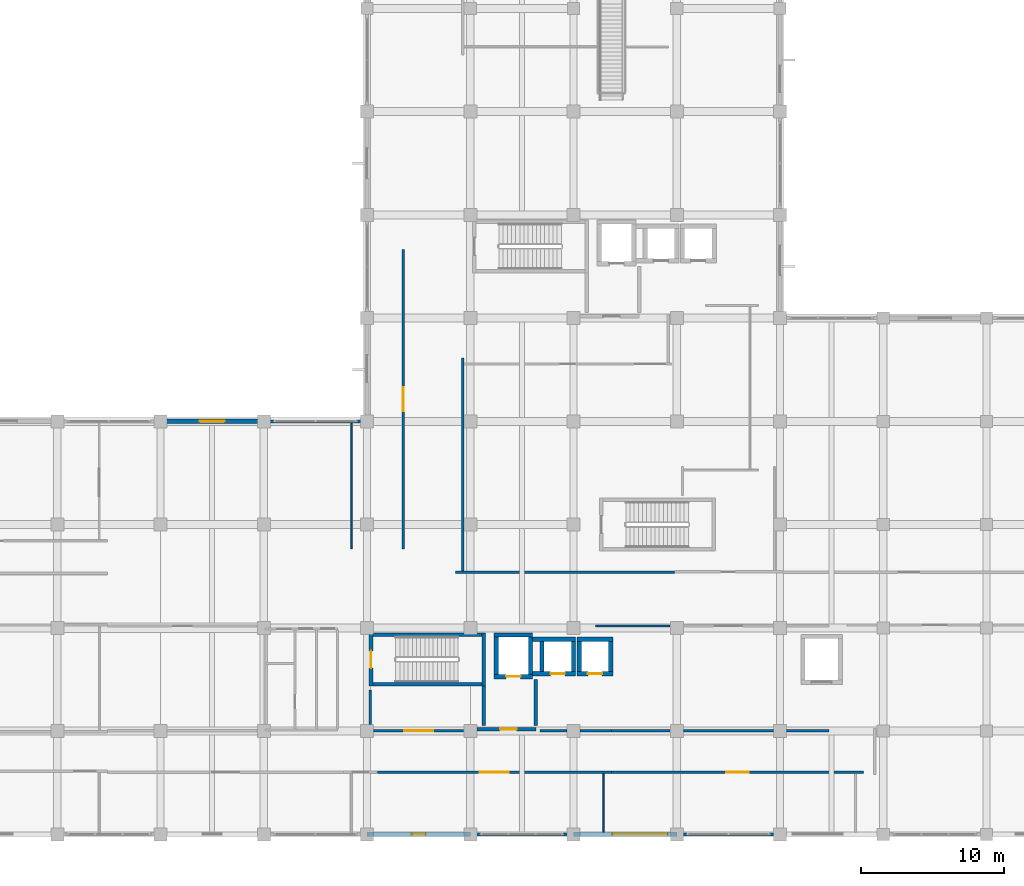
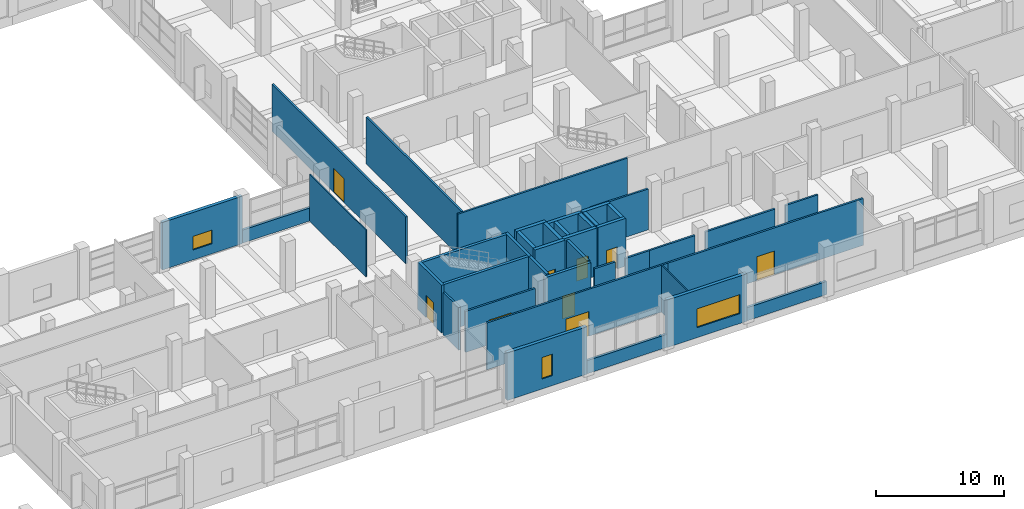
# One storey, part 158 of 181: 40 walls, 9 doors, 3 windows, 12 openings.
"""IFC4 building model written with IfcOpenShell, lengths in metres."""

from ifc_helpers import new_model, si_unit, direction, frame, frame_2d, origin, place, context, subcontext, project, spatial, rectangle, extrude, material, layer, layer_set, type_object, element, fill, save


model = new_model("IFC4")

# Units and contexts
model_context = context("Model", 3, precision=1e-05, world=origin(), true_north=direction((0.0, 1.0)))
body_context = subcontext(model_context, "Body", "Model", "MODEL_VIEW")
ifc_project = project(units=[si_unit("LENGTHUNIT", "METRE"), si_unit("AREAUNIT", "SQUARE_METRE"), si_unit("VOLUMEUNIT", "CUBIC_METRE"), si_unit("PLANEANGLEUNIT", "RADIAN"), si_unit("MASSUNIT", "GRAM", prefix="KILO")], contexts=[model_context])

# Site, building, storey
site_placement = place(None, origin())
site = spatial("IfcSite", under=ifc_project, at=site_placement, CompositionType="ELEMENT")
building_placement = place(site_placement, origin())
building = spatial("IfcBuilding", under=site, at=building_placement, Name="Seraya Terrace Polytechnic", CompositionType="ELEMENT")
storey_placement = place(building_placement, frame((0.0, 0.0, 4.800048828125)))
storey = spatial("IfcBuildingStorey", under=building, at=storey_placement, Name="L01", CompositionType="ELEMENT", Elevation=4.800048828125)

# Wall, opening, window
ifc_material_1 = material(Name="Concrete C40/50", Category="concrete")
ifc_layer_1 = layer(ifc_material_1, 0.300048828125, Name="EW-01")
ifc_layer_set_1 = layer_set([ifc_layer_1], Name="Concrete C40/50")
wall_type_1 = type_object("IfcWallType", Name="EW-01", PredefinedType="SOLIDWALL", material=ifc_layer_set_1)
wall_1_placement = place(storey_placement, frame((100.800048828125, 0.0, 0.0), z_axis=(0.0, 0.0, 1.0), x_axis=(-1.0, 0.0, 0.0)))
wall_1 = element("IfcWall", 1, at=wall_1_placement, inside=storey, type_object=wall_type_1, Name="Exterior structural wall EW-01 L01", PredefinedType="SOLIDWALL", context=body_context, shape_type="SweptSolid", body=[
    extrude(rectangle(XDim=7.199951171875, YDim=0.300048828125, at=frame_2d((3.60009765625, 0.0))), origin(), (0.0, 0.0, 1.0), 4.52001953125),
])
opening_1_placement = place(wall_1_placement, frame((0.64599609375, 0.0, 0.949951171875)))
opening_1 = element("IfcOpeningElement", 2, at=opening_1_placement, cuts=wall_1, Name="Opening WN-36", PredefinedType="OPENING", context=body_context, shape_type="SweptSolid", body=[
    extrude(rectangle(XDim=3.85009765625, YDim=1.800048828125, at=frame_2d((1.925048828125, 0.89990234375))), frame((0.0, 0.162109375, 0.0), z_axis=(0.0, -1.0, 0.0), x_axis=(1.0, 0.0, 0.0)), (0.0, 0.0, 1.0), 0.323974609375),
])
ifc_material_2 = material(Name="Laminated solar-control Low-E double glazing", Category="glass")
window_type_1 = type_object("IfcWindowType", Name="WN-36", PartitioningType="SINGLE_PANEL", PredefinedType="WINDOW", material=ifc_material_2)
window_1_placement = place(opening_1_placement, origin())
window_1 = element("IfcWindow", 3, at=window_1_placement, inside=storey, type_object=window_type_1, Name="Exterior window WN-36 L01", OverallHeight=1.800048828125, OverallWidth=3.85009765625, PartitioningType="SINGLE_PANEL", PredefinedType="WINDOW", context=body_context, shape_type="SweptSolid", body=[
    extrude(rectangle(XDim=3.85009765625, YDim=1.800048828125, at=frame_2d((1.925048828125, 0.89990234375))), frame((0.0, 0.030029296875, 0.0), z_axis=(0.0, -1.0, 0.0), x_axis=(1.0, 0.0, 0.0)), (0.0, 0.0, 1.0), 0.06005859375),
])
fill(opening_1, window_1)

wall_2_placement = place(storey_placement, frame((86.39990234375, 0.0, 0.0), z_axis=(0.0, 0.0, 1.0), x_axis=(-1.0, 0.0, 0.0)))
wall_2 = element("IfcWall", 4, at=wall_2_placement, inside=storey, type_object=wall_type_1, Name="Exterior structural wall EW-01 L01", PredefinedType="SOLIDWALL", context=body_context, shape_type="SweptSolid", body=[
    extrude(rectangle(XDim=7.199951171875, YDim=0.300048828125, at=frame_2d((3.60009765625, 0.0))), origin(), (0.0, 0.0, 1.0), 4.52001953125),
])
opening_2_placement = place(wall_2_placement, frame((3.125, 0.0, 0.949951171875)))
opening_2 = element("IfcOpeningElement", 5, at=opening_2_placement, cuts=wall_2, Name="Opening WN-37", PredefinedType="OPENING", context=body_context, shape_type="SweptSolid", body=[
    extrude(rectangle(XDim=0.949951171875, YDim=2.050048828125, at=frame_2d((0.47509765625, 1.02490234375))), frame((0.0, 0.162109375, 0.0), z_axis=(0.0, -1.0, 0.0), x_axis=(1.0, 0.0, 0.0)), (0.0, 0.0, 1.0), 0.323974609375),
])
window_type_2 = type_object("IfcWindowType", Name="WN-37", PartitioningType="SINGLE_PANEL", PredefinedType="WINDOW", material=ifc_material_2)
window_2_placement = place(opening_2_placement, origin())
window_2 = element("IfcWindow", 6, at=window_2_placement, inside=storey, type_object=window_type_2, Name="Exterior window WN-37 L01", OverallHeight=2.050048828125, OverallWidth=0.949951171875, PartitioningType="SINGLE_PANEL", PredefinedType="WINDOW", context=body_context, shape_type="SweptSolid", body=[
    extrude(rectangle(XDim=0.949951171875, YDim=2.050048828125, at=frame_2d((0.47509765625, 1.02490234375))), frame((0.0, 0.030029296875, 0.0), z_axis=(0.0, -1.0, 0.0), x_axis=(1.0, 0.0, 0.0)), (0.0, 0.0, 1.0), 0.06005859375),
])
fill(opening_2, window_2)

wall_3_placement = place(storey_placement, frame((64.800048828125, 28.800048828125, 0.0), z_axis=(0.0, 0.0, 1.0), x_axis=(1.0, 0.0, 0.0)))
wall_3 = element("IfcWall", 7, at=wall_3_placement, inside=storey, type_object=wall_type_1, Name="Exterior structural wall EW-01 L01", PredefinedType="SOLIDWALL", context=body_context, shape_type="SweptSolid", body=[
    extrude(rectangle(XDim=7.199951171875, YDim=0.300048828125, at=frame_2d((3.60009765625, 0.0))), origin(), (0.0, 0.0, 1.0), 4.52001953125),
])
opening_3_placement = place(wall_3_placement, frame((2.72509765625, 0.0, 0.949951171875)))
opening_3 = element("IfcOpeningElement", 8, at=opening_3_placement, cuts=wall_3, Name="Opening WN-06", PredefinedType="OPENING", context=body_context, shape_type="SweptSolid", body=[
    extrude(rectangle(XDim=1.75, YDim=1.300048828125, at=frame_2d((0.875, 0.64990234375))), frame((0.0, 0.162109375, 0.0), z_axis=(0.0, -1.0, 0.0), x_axis=(1.0, 0.0, 0.0)), (0.0, 0.0, 1.0), 0.323974609375),
])
window_type_3 = type_object("IfcWindowType", Name="WN-06", PartitioningType="SINGLE_PANEL", PredefinedType="WINDOW", material=ifc_material_2)
window_3_placement = place(opening_3_placement, origin())
window_3 = element("IfcWindow", 9, at=window_3_placement, inside=storey, type_object=window_type_3, Name="Exterior window WN-06 L01", OverallHeight=1.300048828125, OverallWidth=1.75, PartitioningType="SINGLE_PANEL", PredefinedType="WINDOW", context=body_context, shape_type="SweptSolid", body=[
    extrude(rectangle(XDim=1.75, YDim=1.300048828125, at=frame_2d((0.875, 0.64990234375))), frame((0.0, 0.030029296875, 0.0), z_axis=(0.0, -1.0, 0.0), x_axis=(1.0, 0.0, 0.0)), (0.0, 0.0, 1.0), 0.06005859375),
])
fill(opening_3, window_3)

# Walls
ifc_material_3 = material(Name="Precast concrete C40/50", Category="concrete")
ifc_layer_2 = layer(ifc_material_3, 0.219970703125, Name="EW-05")
ifc_layer_set_2 = layer_set([ifc_layer_2], Name="Precast concrete C40/50")
wall_type_2 = type_object("IfcWallType", Name="EW-05", PredefinedType="SOLIDWALL", material=ifc_layer_set_2)
wall_4_placement = place(storey_placement, frame((108.0, 0.0, 0.0), z_axis=(0.0, 0.0, 1.0), x_axis=(-1.0, 0.0, 0.0)))
element("IfcWall", 10, at=wall_4_placement, inside=storey, type_object=wall_type_2, Name="Precast spandrel wall L01", PredefinedType="SOLIDWALL", context=body_context, shape_type="SweptSolid", body=[
    extrude(rectangle(XDim=7.199951171875, YDim=0.219970703125, at=frame_2d((3.60009765625, 0.0))), origin(), (0.0, 0.0, 1.0), 1.239990234375),
])
wall_5_placement = place(storey_placement, frame((93.60009765625, 0.0, 0.0), z_axis=(0.0, 0.0, 1.0), x_axis=(-1.0, 0.0, 0.0)))
element("IfcWall", 11, at=wall_5_placement, inside=storey, type_object=wall_type_2, Name="Precast spandrel wall L01", PredefinedType="SOLIDWALL", context=body_context, shape_type="SweptSolid", body=[
    extrude(rectangle(XDim=7.2001953125, YDim=0.219970703125, at=frame_2d((3.60009765625, 0.0))), origin(), (0.0, 0.0, 1.0), 1.239990234375),
])
wall_6_placement = place(storey_placement, frame((72.0, 28.800048828125, 0.0), z_axis=(0.0, 0.0, 1.0), x_axis=(1.0, 0.0, 0.0)))
element("IfcWall", 12, at=wall_6_placement, inside=storey, type_object=wall_type_2, Name="Precast spandrel wall L01", PredefinedType="SOLIDWALL", context=body_context, shape_type="SweptSolid", body=[
    extrude(rectangle(XDim=7.35009765625, YDim=0.219970703125, at=frame_2d((3.675048828125, 0.0))), origin(), (0.0, 0.0, 1.0), 1.239990234375),
])
ifc_material_4 = material(Name="Autoclaved aerated concrete blockwork", Category="masonry")
ifc_layer_3 = layer(ifc_material_4, 0.169921875, Name="PT-02")
ifc_layer_set_3 = layer_set([ifc_layer_3], Name="Autoclaved aerated concrete blockwork")
wall_type_3 = type_object("IfcWallType", Name="PT-02", PredefinedType="PARTITIONING", material=ifc_layer_set_3)
wall_7_placement = place(storey_placement, frame((95.117919921875, 14.530029296875, 0.0), z_axis=(0.0, 0.0, 1.0), x_axis=(1.0, 0.0, 0.0)))
element("IfcWall", 13, at=wall_7_placement, inside=storey, type_object=wall_type_3, Name="Internal partition PT-02 L01", PredefinedType="PARTITIONING", context=body_context, shape_type="SweptSolid", body=[
    extrude(rectangle(XDim=5.22216796875, YDim=0.169921875, at=frame_2d((2.611083984375, 0.0))), origin(), (0.0, 0.0, 1.0), 3.89990234375),
])
wall_8_placement = place(storey_placement, frame((85.366455078125, 18.27001953125, 0.0), z_axis=(0.0, 0.0, 1.0), x_axis=(1.0, 0.0, 0.0)))
element("IfcWall", 14, at=wall_8_placement, inside=storey, type_object=wall_type_3, Name="Internal partition PT-02 L01", PredefinedType="PARTITIONING", context=body_context, shape_type="SweptSolid", body=[
    extrude(rectangle(XDim=15.2734375, YDim=0.169921875, at=frame_2d((7.63671875, 0.0))), origin(), (0.0, 0.0, 1.0), 4.4599609375),
])
wall_9_placement = place(storey_placement, frame((79.419921875, 7.659912109375, 0.0), z_axis=(0.0, 0.0, 1.0), x_axis=(0.0, 1.0, 0.0)))
element("IfcWall", 15, at=wall_9_placement, inside=storey, type_object=wall_type_3, Name="Internal partition PT-02 L01", PredefinedType="PARTITIONING", context=body_context, shape_type="SweptSolid", body=[
    extrude(rectangle(XDim=2.390380859375, YDim=0.169921875, at=frame_2d((1.1953125, 0.0))), origin(), (0.0, 0.0, 1.0), 4.079833984375),
])

# Wall, opening, door
wall_10_placement = place(storey_placement, frame((79.659912109375, 7.219970703125, 0.0), z_axis=(0.0, 0.0, 1.0), x_axis=(1.0, 0.0, 0.0)))
wall_10 = element("IfcWall", 16, at=wall_10_placement, inside=storey, type_object=wall_type_3, Name="Internal partition PT-02 L01", PredefinedType="PARTITIONING", context=body_context, shape_type="SweptSolid", body=[
    extrude(rectangle(XDim=6.280029296875, YDim=0.169921875, at=frame_2d((3.14013671875, 0.0))), origin(), (0.0, 0.0, 1.0), 3.89990234375),
])
opening_4_placement = place(wall_10_placement, frame((2.1201171875, 0.0, 0.0)))
opening_4 = element("IfcOpeningElement", 17, at=opening_4_placement, cuts=wall_10, Name="Opening ID-17", PredefinedType="OPENING", context=body_context, shape_type="SweptSolid", body=[
    extrude(rectangle(XDim=2.0400390625, YDim=2.340087890625, at=frame_2d((1.02001953125, 1.169921875))), frame((0.0, 0.096923828125, 0.0), z_axis=(0.0, -1.0, 0.0), x_axis=(1.0, 0.0, 0.0)), (0.0, 0.0, 1.0), 0.19384765625),
])
ifc_material_5 = material(Name="Malaysian dark red meranti hardwood timber D40", Category="wood")
door_type_1 = type_object("IfcDoorType", Name="ID-17", OperationType="DOUBLE_DOOR_SINGLE_SWING", PredefinedType="DOOR", material=ifc_material_5)
door_1_placement = place(opening_4_placement, origin())
door_1 = element("IfcDoor", 18, at=door_1_placement, inside=storey, type_object=door_type_1, Name="Door ID-17 DR-INT-L01-0094 in WL-INT-L01-0261", OperationType="DOUBLE_DOOR_SINGLE_SWING", OverallHeight=2.340087890625, OverallWidth=2.0400390625, PredefinedType="DOOR", context=body_context, shape_type="SweptSolid", body=[
    extrude(rectangle(XDim=2.0400390625, YDim=2.340087890625, at=frame_2d((1.02001953125, 1.169921875))), frame((0.0, 0.02490234375, 0.0), z_axis=(0.0, -1.0, 0.0), x_axis=(1.0, 0.0, 0.0)), (0.0, 0.0, 1.0), 0.050048828125),
])
fill(opening_4, door_1)

# Walls
wall_11_placement = place(storey_placement, frame((94.06005859375, 7.219970703125, 0.0), z_axis=(0.0, 0.0, 1.0), x_axis=(1.0, 0.0, 0.0)))
element("IfcWall", 19, at=wall_11_placement, inside=storey, type_object=wall_type_3, Name="Internal partition PT-02 L01", PredefinedType="PARTITIONING", context=body_context, shape_type="SweptSolid", body=[
    extrude(rectangle(XDim=2.177734375, YDim=0.169921875, at=frame_2d((1.0888671875, 0.0))), origin(), (0.0, 0.0, 1.0), 3.89990234375),
])
wall_12_placement = place(storey_placement, frame((91.260986328125, 7.219970703125, 0.0), z_axis=(0.0, 0.0, 1.0), x_axis=(1.0, 0.0, 0.0)))
element("IfcWall", 20, at=wall_12_placement, inside=storey, type_object=wall_type_3, Name="Internal partition PT-02 L01", PredefinedType="PARTITIONING", context=body_context, shape_type="SweptSolid", body=[
    extrude(rectangle(XDim=1.87890625, YDim=0.169921875, at=frame_2d((0.939453125, 0.0))), origin(), (0.0, 0.0, 1.0), 3.89990234375),
])

# Wall, opening, door
wall_13_placement = place(storey_placement, frame((79.909912109375, 4.330078125, 0.0), z_axis=(0.0, 0.0, 1.0), x_axis=(1.0, 0.0, 0.0)))
wall_13 = element("IfcWall", 21, at=wall_13_placement, inside=storey, type_object=wall_type_3, Name="Internal partition PT-02 L01", PredefinedType="PARTITIONING", context=body_context, shape_type="SweptSolid", body=[
    extrude(rectangle(XDim=16.327880859375, YDim=0.169921875, at=frame_2d((8.1640625, 0.0))), origin(), (0.0, 0.0, 1.0), 4.4599609375),
])
opening_5_placement = place(wall_13_placement, frame((7.143798828125, 0.0, 0.0)))
opening_5 = element("IfcOpeningElement", 22, at=opening_5_placement, cuts=wall_13, Name="Opening ID-17", PredefinedType="OPENING", context=body_context, shape_type="SweptSolid", body=[
    extrude(rectangle(XDim=2.0400390625, YDim=2.340087890625, at=frame_2d((1.02001953125, 1.169921875))), frame((0.0, 0.096923828125, 0.0), z_axis=(0.0, -1.0, 0.0), x_axis=(1.0, 0.0, 0.0)), (0.0, 0.0, 1.0), 0.19384765625),
])
door_2_placement = place(opening_5_placement, origin())
door_2 = element("IfcDoor", 23, at=door_2_placement, inside=storey, type_object=door_type_1, Name="Door ID-17 DR-INT-L01-0078 in WL-INT-L01-0264", OperationType="DOUBLE_DOOR_SINGLE_SWING", OverallHeight=2.340087890625, OverallWidth=2.0400390625, PredefinedType="DOOR", context=body_context, shape_type="SweptSolid", body=[
    extrude(rectangle(XDim=2.0400390625, YDim=2.340087890625, at=frame_2d((1.02001953125, 1.169921875))), frame((0.0, 0.02490234375, 0.0), z_axis=(0.0, -1.0, 0.0), x_axis=(1.0, 0.0, 0.0)), (0.0, 0.0, 1.0), 0.050048828125),
])
fill(opening_5, door_2)

# Walls
wall_14_placement = place(storey_placement, frame((101.260009765625, 7.219970703125, 0.0), z_axis=(0.0, 0.0, 1.0), x_axis=(1.0, 0.0, 0.0)))
element("IfcWall", 24, at=wall_14_placement, inside=storey, type_object=wall_type_3, Name="Internal partition PT-02 L01", PredefinedType="PARTITIONING", context=body_context, shape_type="SweptSolid", body=[
    extrude(rectangle(XDim=6.280029296875, YDim=0.169921875, at=frame_2d((3.14013671875, 0.0))), origin(), (0.0, 0.0, 1.0), 3.89990234375),
])
wall_15_placement = place(storey_placement, frame((96.23779296875, 7.219970703125, 0.0), z_axis=(0.0, 0.0, 1.0), x_axis=(1.0, 0.0, 0.0)))
element("IfcWall", 25, at=wall_15_placement, inside=storey, type_object=wall_type_3, Name="Internal partition PT-02 L01", PredefinedType="PARTITIONING", context=body_context, shape_type="SweptSolid", body=[
    extrude(rectangle(XDim=4.102294921875, YDim=0.169921875, at=frame_2d((2.05126953125, 0.0))), origin(), (0.0, 0.0, 1.0), 3.89990234375),
])
wall_16_placement = place(storey_placement, frame((108.4599609375, 7.219970703125, 0.0), z_axis=(0.0, 0.0, 1.0), x_axis=(1.0, 0.0, 0.0)))
element("IfcWall", 26, at=wall_16_placement, inside=storey, type_object=wall_type_3, Name="Internal partition PT-02 L01", PredefinedType="PARTITIONING", context=body_context, shape_type="SweptSolid", body=[
    extrude(rectangle(XDim=2.93994140625, YDim=0.169921875, at=frame_2d((1.469970703125, 0.0))), origin(), (0.0, 0.0, 1.0), 3.89990234375),
])

# Wall, opening, door
wall_17_placement = place(storey_placement, frame((96.23779296875, 4.330078125, 0.0), z_axis=(0.0, 0.0, 1.0), x_axis=(1.0, 0.0, 0.0)))
wall_17 = element("IfcWall", 27, at=wall_17_placement, inside=storey, type_object=wall_type_3, Name="Internal partition PT-02 L01", PredefinedType="PARTITIONING", context=body_context, shape_type="SweptSolid", body=[
    extrude(rectangle(XDim=17.575439453125, YDim=0.169921875, at=frame_2d((8.78759765625, 0.0))), origin(), (0.0, 0.0, 1.0), 4.4599609375),
])
opening_6_placement = place(wall_17_placement, frame((8.0078125, 0.0, 0.0)))
opening_6 = element("IfcOpeningElement", 28, at=opening_6_placement, cuts=wall_17, Name="Opening ID-12", PredefinedType="OPENING", context=body_context, shape_type="SweptSolid", body=[
    extrude(rectangle(XDim=1.56005859375, YDim=2.260009765625, at=frame_2d((0.780029296875, 1.1298828125))), frame((0.0, 0.096923828125, 0.0), z_axis=(0.0, -1.0, 0.0), x_axis=(1.0, 0.0, 0.0)), (0.0, 0.0, 1.0), 0.19384765625),
])
door_type_2 = type_object("IfcDoorType", Name="ID-12", OperationType="DOUBLE_DOOR_SINGLE_SWING", PredefinedType="DOOR", material=ifc_material_5)
door_3_placement = place(opening_6_placement, frame((1.56005859375, 0.0, 0.0), z_axis=(0.0, 0.0, 1.0), x_axis=(-1.0, 0.0, 0.0)))
door_3 = element("IfcDoor", 29, at=door_3_placement, inside=storey, type_object=door_type_2, Name="Door ID-12 DR-INT-L01-0105 in WL-INT-L01-0268", OperationType="DOUBLE_DOOR_SINGLE_SWING", OverallHeight=2.260009765625, OverallWidth=1.56005859375, PredefinedType="DOOR", context=body_context, shape_type="SweptSolid", body=[
    extrude(rectangle(XDim=1.56005859375, YDim=2.260009765625, at=frame_2d((0.780029296875, 1.1298828125))), frame((0.0, 0.02490234375, 0.0), z_axis=(0.0, -1.0, 0.0), x_axis=(1.0, 0.0, 0.0)), (0.0, 0.0, 1.0), 0.050048828125),
])
fill(opening_6, door_3)

wall_18_placement = place(storey_placement, frame((81.72998046875, 19.905029296875, 0.0), z_axis=(0.0, 0.0, 1.0), x_axis=(0.0, 1.0, 0.0)))
wall_18 = element("IfcWall", 30, at=wall_18_placement, inside=storey, type_object=wall_type_3, Name="Internal partition PT-02 L01", PredefinedType="PARTITIONING", context=body_context, shape_type="SweptSolid", body=[
    extrude(rectangle(XDim=20.864990234375, YDim=0.169921875, at=frame_2d((10.4326171875, 0.0))), origin(), (0.0, 0.0, 1.0), 4.4599609375),
])
opening_7_placement = place(wall_18_placement, frame((9.592529296875, 0.0, 0.0)))
opening_7 = element("IfcOpeningElement", 31, at=opening_7_placement, cuts=wall_18, Name="Opening ID-13", PredefinedType="OPENING", context=body_context, shape_type="SweptSolid", body=[
    extrude(rectangle(XDim=1.679931640625, YDim=2.280029296875, at=frame_2d((0.83984375, 1.14013671875))), frame((0.0, 0.096923828125, 0.0), z_axis=(0.0, -1.0, 0.0), x_axis=(1.0, 0.0, 0.0)), (0.0, 0.0, 1.0), 0.19384765625),
])
door_type_3 = type_object("IfcDoorType", Name="ID-13", OperationType="DOUBLE_DOOR_SINGLE_SWING", PredefinedType="DOOR", material=ifc_material_5)
door_4_placement = place(opening_7_placement, origin())
door_4 = element("IfcDoor", 32, at=door_4_placement, inside=storey, type_object=door_type_3, Name="Door ID-13 DR-INT-L01-0106 in WL-INT-L01-0278", OperationType="DOUBLE_DOOR_SINGLE_SWING", OverallHeight=2.280029296875, OverallWidth=1.679931640625, PredefinedType="DOOR", context=body_context, shape_type="SweptSolid", body=[
    extrude(rectangle(XDim=1.679931640625, YDim=2.280029296875, at=frame_2d((0.83984375, 1.14013671875))), frame((0.0, 0.02490234375, 0.0), z_axis=(0.0, -1.0, 0.0), x_axis=(1.0, 0.0, 0.0)), (0.0, 0.0, 1.0), 0.050048828125),
])
fill(opening_7, door_4)

# Walls
wall_19_placement = place(storey_placement, frame((85.86328125, 18.3701171875, 0.0), z_axis=(0.0, 0.0, 1.0), x_axis=(0.0, 1.0, 0.0)))
element("IfcWall", 33, at=wall_19_placement, inside=storey, type_object=wall_type_3, Name="Internal partition PT-02 L01", PredefinedType="PARTITIONING", context=body_context, shape_type="SweptSolid", body=[
    extrude(rectangle(XDim=14.849853515625, YDim=0.169921875, at=frame_2d((7.4248046875, 0.0))), origin(), (0.0, 0.0, 1.0), 4.4599609375),
])
ifc_layer_4 = layer(ifc_material_4, 0.10009765625, Name="PT-06")
ifc_layer_set_4 = layer_set([ifc_layer_4], Name="Autoclaved aerated concrete blockwork")
wall_type_4 = type_object("IfcWallType", Name="PT-06", PredefinedType="PARTITIONING", material=ifc_layer_set_4)
wall_20_placement = place(storey_placement, frame((78.102294921875, 19.905029296875, 0.0), z_axis=(0.0, 0.0, 1.0), x_axis=(0.0, 1.0, 0.0)))
element("IfcWall", 34, at=wall_20_placement, inside=storey, type_object=wall_type_4, Name="Internal partition PT-06 L01", PredefinedType="PARTITIONING", context=body_context, shape_type="SweptSolid", body=[
    extrude(rectangle(XDim=8.77294921875, YDim=0.10009765625, at=frame_2d((4.386474609375, 0.0))), origin(), (0.0, 0.0, 1.0), 4.4599609375),
])
wall_21_placement = place(storey_placement, frame((95.677734375, 0.162109375, 0.0), z_axis=(0.0, 0.0, 1.0), x_axis=(0.0, 1.0, 0.0)))
element("IfcWall", 35, at=wall_21_placement, inside=storey, type_object=wall_type_4, Name="Internal partition PT-06 L01", PredefinedType="PARTITIONING", context=body_context, shape_type="SweptSolid", body=[
    extrude(rectangle(XDim=4.06787109375, YDim=0.10009765625, at=frame_2d((2.033935546875, 0.0))), origin(), (0.0, 0.0, 1.0), 4.4599609375),
])

# Wall, opening, door
ifc_layer_5 = layer(ifc_material_1, 0.300048828125, Name="SW-01")
ifc_layer_set_5 = layer_set([ifc_layer_5], Name="Concrete C40/50")
wall_type_5 = type_object("IfcWallType", Name="SW-01", PredefinedType="SHEAR", material=ifc_layer_set_5)
wall_22_placement = place(storey_placement, frame((88.050048828125, 11.0, 0.0), z_axis=(0.0, 0.0, 1.0), x_axis=(1.0, 0.0, 0.0)))
wall_22 = element("IfcWall", 36, at=wall_22_placement, inside=storey, type_object=wall_type_5, Name="Lift shaft FL-01 South wall L01", PredefinedType="SHEAR", context=body_context, shape_type="SweptSolid", body=[
    extrude(rectangle(XDim=2.699951171875, YDim=0.300048828125, at=frame_2d((1.35009765625, 0.0))), origin(), (0.0, 0.0, 1.0), 4.550048828125),
])
opening_8_placement = place(wall_22_placement, frame((0.85009765625, 0.0, 0.0)))
opening_8 = element("IfcOpeningElement", 37, at=opening_8_placement, cuts=wall_22, Name="Opening LD-01", PredefinedType="OPENING", context=body_context, shape_type="SweptSolid", body=[
    extrude(rectangle(XDim=1.0, YDim=2.10009765625, at=frame_2d((0.5, 1.050048828125))), frame((0.0, 0.162109375, 0.0), z_axis=(0.0, -1.0, 0.0), x_axis=(1.0, 0.0, 0.0)), (0.0, 0.0, 1.0), 0.323974609375),
])
ifc_material_6 = material(Name="Steel S355J2", Category="steel")
door_type_4 = type_object("IfcDoorType", Name="LD-01", OperationType="SLIDING_TO_LEFT", PredefinedType="DOOR", material=ifc_material_6)
door_5_placement = place(opening_8_placement, frame((1.0, 0.0, 0.0), z_axis=(0.0, 0.0, 1.0), x_axis=(-1.0, 0.0, 0.0)))
door_5 = element("IfcDoor", 38, at=door_5_placement, inside=storey, type_object=door_type_4, Name="Door LD-01 LD-FL-01-L01 in WL-SHF-FL-01-L01-S", OperationType="SLIDING_TO_LEFT", OverallHeight=2.10009765625, OverallWidth=1.0, PredefinedType="DOOR", context=body_context, shape_type="SweptSolid", body=[
    extrude(rectangle(XDim=1.0, YDim=2.10009765625, at=frame_2d((0.5, 1.050048828125))), frame((0.0, 0.02490234375, 0.0), z_axis=(0.0, -1.0, 0.0), x_axis=(1.0, 0.0, 0.0)), (0.0, 0.0, 1.0), 0.050048828125),
])
fill(opening_8, door_5)

# Walls
wall_23_placement = place(storey_placement, frame((88.050048828125, 13.89990234375, 0.0), z_axis=(0.0, 0.0, 1.0), x_axis=(1.0, 0.0, 0.0)))
element("IfcWall", 39, at=wall_23_placement, inside=storey, type_object=wall_type_5, Name="Lift shaft FL-01 North wall L01", PredefinedType="SHEAR", context=body_context, shape_type="SweptSolid", body=[
    extrude(rectangle(XDim=2.699951171875, YDim=0.300048828125, at=frame_2d((1.35009765625, 0.0))), origin(), (0.0, 0.0, 1.0), 4.550048828125),
])
for number, where, z_axis, x_axis, name in (
    (40, (88.199951171875, 11.14990234375, 0.0), (0.0, 0.0, 1.0), (0.0, 1.0, 0.0), "Lift shaft FL-01 West wall L01"),
    (41, (90.60009765625, 11.14990234375, 0.0), (0.0, 0.0, 1.0), (0.0, 1.0, 0.0), "Lift shaft FL-01 East wall L01"),
):
    element("IfcWall", number, at=place(storey_placement, frame(where, z_axis=z_axis, x_axis=x_axis)), inside=storey, type_object=wall_type_5, Name=name, PredefinedType="SHEAR", context=body_context, shape_type="SweptSolid", body=[
        extrude(rectangle(XDim=2.60009765625, YDim=0.300048828125, at=frame_2d((1.300048828125, 0.0))), origin(), (0.0, 0.0, 1.0), 4.550048828125),
    ])

# Wall, opening, door
wall_24_placement = place(storey_placement, frame((90.75, 11.199951171875, 0.0), z_axis=(0.0, 0.0, 1.0), x_axis=(1.0, 0.0, 0.0)))
wall_24 = element("IfcWall", 42, at=wall_24_placement, inside=storey, type_object=wall_type_5, Name="Lift shaft PL-01 South wall L01", PredefinedType="SHEAR", context=body_context, shape_type="SweptSolid", body=[
    extrude(rectangle(XDim=3.0, YDim=0.300048828125, at=frame_2d((1.5, 0.0))), origin(), (0.0, 0.0, 1.0), 4.550048828125),
])
opening_9_placement = place(wall_24_placement, frame((1.25, 0.0, 0.0)))
opening_9 = element("IfcOpeningElement", 43, at=opening_9_placement, cuts=wall_24, Name="Opening LD-01", PredefinedType="OPENING", context=body_context, shape_type="SweptSolid", body=[
    extrude(rectangle(XDim=1.0, YDim=2.10009765625, at=frame_2d((0.5, 1.050048828125))), frame((0.0, 0.162109375, 0.0), z_axis=(0.0, -1.0, 0.0), x_axis=(1.0, 0.0, 0.0)), (0.0, 0.0, 1.0), 0.323974609375),
])
door_6_placement = place(opening_9_placement, frame((1.0, 0.0, 0.0), z_axis=(0.0, 0.0, 1.0), x_axis=(-1.0, 0.0, 0.0)))
door_6 = element("IfcDoor", 44, at=door_6_placement, inside=storey, type_object=door_type_4, Name="Door LD-01 LD-PL-01-L01 in WL-SHF-PL-01-L01-S", OperationType="SLIDING_TO_RIGHT", OverallHeight=2.10009765625, OverallWidth=1.0, PredefinedType="DOOR", context=body_context, shape_type="SweptSolid", body=[
    extrude(rectangle(XDim=1.0, YDim=2.10009765625, at=frame_2d((0.5, 1.050048828125))), frame((0.0, 0.02490234375, 0.0), z_axis=(0.0, -1.0, 0.0), x_axis=(1.0, 0.0, 0.0)), (0.0, 0.0, 1.0), 0.050048828125),
])
fill(opening_9, door_6)

# Walls
wall_25_placement = place(storey_placement, frame((90.75, 13.60009765625, 0.0), z_axis=(0.0, 0.0, 1.0), x_axis=(1.0, 0.0, 0.0)))
element("IfcWall", 45, at=wall_25_placement, inside=storey, type_object=wall_type_5, Name="Lift shaft PL-01 North wall L01", PredefinedType="SHEAR", context=body_context, shape_type="SweptSolid", body=[
    extrude(rectangle(XDim=3.0, YDim=0.300048828125, at=frame_2d((1.5, 0.0))), origin(), (0.0, 0.0, 1.0), 4.550048828125),
])
for number, where, z_axis, x_axis, name in (
    (46, (91.39990234375, 11.35009765625, 0.0), (0.0, 0.0, 1.0), (0.0, 1.0, 0.0), "Lift shaft PL-01 West wall L01"),
    (47, (93.60009765625, 11.35009765625, 0.0), (0.0, 0.0, 1.0), (0.0, 1.0, 0.0), "Lift shaft PL-01 East wall L01"),
):
    element("IfcWall", number, at=place(storey_placement, frame(where, z_axis=z_axis, x_axis=x_axis)), inside=storey, type_object=wall_type_5, Name=name, PredefinedType="SHEAR", context=body_context, shape_type="SweptSolid", body=[
        extrude(rectangle(XDim=2.099853515625, YDim=0.300048828125, at=frame_2d((1.0498046875, 0.0))), origin(), (0.0, 0.0, 1.0), 4.550048828125),
    ])

# Wall, opening, door
wall_26_placement = place(storey_placement, frame((93.85009765625, 11.199951171875, 0.0), z_axis=(0.0, 0.0, 1.0), x_axis=(1.0, 0.0, 0.0)))
wall_26 = element("IfcWall", 48, at=wall_26_placement, inside=storey, type_object=wall_type_5, Name="Lift shaft PL-02 South wall L01", PredefinedType="SHEAR", context=body_context, shape_type="SweptSolid", body=[
    extrude(rectangle(XDim=2.5, YDim=0.300048828125, at=frame_2d((1.25, 0.0))), origin(), (0.0, 0.0, 1.0), 4.550048828125),
])
opening_10_placement = place(wall_26_placement, frame((0.75, 0.0, 0.0)))
opening_10 = element("IfcOpeningElement", 49, at=opening_10_placement, cuts=wall_26, Name="Opening LD-01", PredefinedType="OPENING", context=body_context, shape_type="SweptSolid", body=[
    extrude(rectangle(XDim=1.0, YDim=2.10009765625, at=frame_2d((0.5, 1.050048828125))), frame((0.0, 0.162109375, 0.0), z_axis=(0.0, -1.0, 0.0), x_axis=(1.0, 0.0, 0.0)), (0.0, 0.0, 1.0), 0.323974609375),
])
door_7_placement = place(opening_10_placement, frame((1.0, 0.0, 0.0), z_axis=(0.0, 0.0, 1.0), x_axis=(-1.0, 0.0, 0.0)))
door_7 = element("IfcDoor", 50, at=door_7_placement, inside=storey, type_object=door_type_4, Name="Door LD-01 LD-PL-02-L01 in WL-SHF-PL-02-L01-S", OperationType="SLIDING_TO_LEFT", OverallHeight=2.10009765625, OverallWidth=1.0, PredefinedType="DOOR", context=body_context, shape_type="SweptSolid", body=[
    extrude(rectangle(XDim=1.0, YDim=2.10009765625, at=frame_2d((0.5, 1.050048828125))), frame((0.0, 0.02490234375, 0.0), z_axis=(0.0, -1.0, 0.0), x_axis=(1.0, 0.0, 0.0)), (0.0, 0.0, 1.0), 0.050048828125),
])
fill(opening_10, door_7)

# Walls
wall_27_placement = place(storey_placement, frame((93.85009765625, 13.60009765625, 0.0), z_axis=(0.0, 0.0, 1.0), x_axis=(1.0, 0.0, 0.0)))
element("IfcWall", 51, at=wall_27_placement, inside=storey, type_object=wall_type_5, Name="Lift shaft PL-02 North wall L01", PredefinedType="SHEAR", context=body_context, shape_type="SweptSolid", body=[
    extrude(rectangle(XDim=2.5, YDim=0.300048828125, at=frame_2d((1.25, 0.0))), origin(), (0.0, 0.0, 1.0), 4.550048828125),
])
for number, where, z_axis, x_axis, name in (
    (52, (94.0, 11.35009765625, 0.0), (0.0, 0.0, 1.0), (0.0, 1.0, 0.0), "Lift shaft PL-02 West wall L01"),
    (53, (96.199951171875, 11.35009765625, 0.0), (0.0, 0.0, 1.0), (0.0, 1.0, 0.0), "Lift shaft PL-02 East wall L01"),
):
    element("IfcWall", number, at=place(storey_placement, frame(where, z_axis=z_axis, x_axis=x_axis)), inside=storey, type_object=wall_type_5, Name=name, PredefinedType="SHEAR", context=body_context, shape_type="SweptSolid", body=[
        extrude(rectangle(XDim=2.099853515625, YDim=0.300048828125, at=frame_2d((1.0498046875, 0.0))), origin(), (0.0, 0.0, 1.0), 4.550048828125),
    ])

# Wall, opening, door
ifc_layer_6 = layer(ifc_material_1, 0.25, Name="SW-02")
ifc_layer_set_6 = layer_set([ifc_layer_6], Name="Concrete C40/50")
wall_type_6 = type_object("IfcWallType", Name="SW-02", PredefinedType="SHEAR", material=ifc_layer_set_6)
wall_28_placement = place(storey_placement, frame((79.47509765625, 10.35009765625, 0.0), z_axis=(0.0, 0.0, 1.0), x_axis=(0.0, 1.0, 0.0)))
wall_28 = element("IfcWall", 54, at=wall_28_placement, inside=storey, type_object=wall_type_6, Name="Stairwell ST-01 West wall L01", PredefinedType="SHEAR", context=body_context, shape_type="SweptSolid", body=[
    extrude(rectangle(XDim=3.699951171875, YDim=0.25, at=frame_2d((1.85009765625, 0.0))), origin(), (0.0, 0.0, 1.0), 4.550048828125),
])
opening_11_placement = place(wall_28_placement, frame((1.25, 0.0, 0.0)))
opening_11 = element("IfcOpeningElement", 55, at=opening_11_placement, cuts=wall_28, Name="Opening FD-01", PredefinedType="OPENING", context=body_context, shape_type="SweptSolid", body=[
    extrude(rectangle(XDim=1.199951171875, YDim=2.14990234375, at=frame_2d((0.60009765625, 1.074951171875))), frame((0.0, 0.136962890625, 0.0), z_axis=(0.0, -1.0, 0.0), x_axis=(1.0, 0.0, 0.0)), (0.0, 0.0, 1.0), 0.27392578125),
])
door_type_5 = type_object("IfcDoorType", Name="FD-01", OperationType="NOTDEFINED", PredefinedType="DOOR", material=ifc_material_6)
door_8_placement = place(opening_11_placement, frame((1.199951171875, 0.0, 0.0), z_axis=(0.0, 0.0, 1.0), x_axis=(-1.0, 0.0, 0.0)))
door_8 = element("IfcDoor", 56, at=door_8_placement, inside=storey, type_object=door_type_5, Name="Door FD-01 DR-STR-ST-01-L01 in WL-STR-ST-01-L01-W", OperationType="SINGLE_SWING_LEFT", OverallHeight=2.14990234375, OverallWidth=1.199951171875, PredefinedType="DOOR", context=body_context, shape_type="SweptSolid", body=[
    extrude(rectangle(XDim=1.199951171875, YDim=2.14990234375, at=frame_2d((0.60009765625, 1.074951171875))), frame((0.0, 0.02490234375, 0.0), z_axis=(0.0, -1.0, 0.0), x_axis=(1.0, 0.0, 0.0)), (0.0, 0.0, 1.0), 0.050048828125),
])
fill(opening_11, door_8)

# Walls
wall_29_placement = place(storey_placement, frame((87.324951171875, 10.35009765625, 0.0), z_axis=(0.0, 0.0, 1.0), x_axis=(0.0, 1.0, 0.0)))
element("IfcWall", 57, at=wall_29_placement, inside=storey, type_object=wall_type_6, Name="Stairwell ST-01 East wall L01", PredefinedType="SHEAR", context=body_context, shape_type="SweptSolid", body=[
    extrude(rectangle(XDim=3.699951171875, YDim=0.25, at=frame_2d((1.85009765625, 0.0))), origin(), (0.0, 0.0, 1.0), 4.550048828125),
])
for number, where, z_axis, x_axis, name in (
    (58, (79.60009765625, 10.47509765625, 0.0), (0.0, 0.0, 1.0), (1.0, 0.0, 0.0), "Stairwell ST-01 South wall L01"),
    (59, (79.60009765625, 13.925048828125, 0.0), (0.0, 0.0, 1.0), (1.0, 0.0, 0.0), "Stairwell ST-01 North wall L01"),
):
    element("IfcWall", number, at=place(storey_placement, frame(where, z_axis=z_axis, x_axis=x_axis)), inside=storey, type_object=wall_type_6, Name=name, PredefinedType="SHEAR", context=body_context, shape_type="SweptSolid", body=[
        extrude(rectangle(XDim=7.599853515625, YDim=0.25, at=frame_2d((3.7998046875, 0.0))), origin(), (0.0, 0.0, 1.0), 4.550048828125),
    ])

# Wall, opening, door
wall_30_placement = place(storey_placement, frame((86.85009765625, 7.324951171875, 0.0), z_axis=(0.0, 0.0, 1.0), x_axis=(1.0, 0.0, 0.0)))
wall_30 = element("IfcWall", 60, at=wall_30_placement, inside=storey, type_object=wall_type_6, Name="Firefighting lobby A South wall L01", PredefinedType="SHEAR", context=body_context, shape_type="SweptSolid", body=[
    extrude(rectangle(XDim=4.125, YDim=0.25, at=frame_2d((2.0625, 0.0))), origin(), (0.0, 0.0, 1.0), 4.550048828125),
])
opening_12_placement = place(wall_30_placement, frame((1.625, 0.0, 0.0)))
opening_12 = element("IfcOpeningElement", 61, at=opening_12_placement, cuts=wall_30, Name="Opening FD-02", PredefinedType="OPENING", context=body_context, shape_type="SweptSolid", body=[
    extrude(rectangle(XDim=1.14990234375, YDim=2.14990234375, at=frame_2d((0.574951171875, 1.074951171875))), frame((0.0, 0.136962890625, 0.0), z_axis=(0.0, -1.0, 0.0), x_axis=(1.0, 0.0, 0.0)), (0.0, 0.0, 1.0), 0.27392578125),
])
door_type_6 = type_object("IfcDoorType", Name="FD-02", OperationType="NOTDEFINED", PredefinedType="DOOR", material=ifc_material_6)
door_9_placement = place(opening_12_placement, frame((1.14990234375, 0.0, 0.0), z_axis=(0.0, 0.0, 1.0), x_axis=(-1.0, 0.0, 0.0)))
door_9 = element("IfcDoor", 62, at=door_9_placement, inside=storey, type_object=door_type_6, Name="Door FD-02 DR-FFL-CORE-A-L01 in WL-FFL-CORE-A-L01-S", OperationType="SINGLE_SWING_LEFT", OverallHeight=2.14990234375, OverallWidth=1.14990234375, PredefinedType="DOOR", context=body_context, shape_type="SweptSolid", body=[
    extrude(rectangle(XDim=1.14990234375, YDim=2.14990234375, at=frame_2d((0.574951171875, 1.074951171875))), frame((0.0, 0.02490234375, 0.0), z_axis=(0.0, -1.0, 0.0), x_axis=(1.0, 0.0, 0.0)), (0.0, 0.0, 1.0), 0.050048828125),
])
fill(opening_12, door_9)

# Walls
wall_31_placement = place(storey_placement, frame((87.324951171875, 7.574951171875, 0.0), z_axis=(0.0, 0.0, 1.0), x_axis=(0.0, 1.0, 0.0)))
element("IfcWall", 63, at=wall_31_placement, inside=storey, type_object=wall_type_6, Name="Firefighting lobby A West wall L01", PredefinedType="SHEAR", context=body_context, shape_type="SweptSolid", body=[
    extrude(rectangle(XDim=2.77001953125, YDim=0.25, at=frame_2d((1.385009765625, 0.0))), origin(), (0.0, 0.0, 1.0), 4.550048828125),
])
wall_32_placement = place(storey_placement, frame((90.97509765625, 7.574951171875, 0.0), z_axis=(0.0, 0.0, 1.0), x_axis=(0.0, 1.0, 0.0)))
element("IfcWall", 64, at=wall_32_placement, inside=storey, type_object=wall_type_6, Name="Firefighting lobby A East wall L01", PredefinedType="SHEAR", context=body_context, shape_type="SweptSolid", body=[
    extrude(rectangle(XDim=3.22509765625, YDim=0.25, at=frame_2d((1.612548828125, 0.0))), origin(), (0.0, 0.0, 1.0), 4.550048828125),
])

save(model, "model.ifc")
